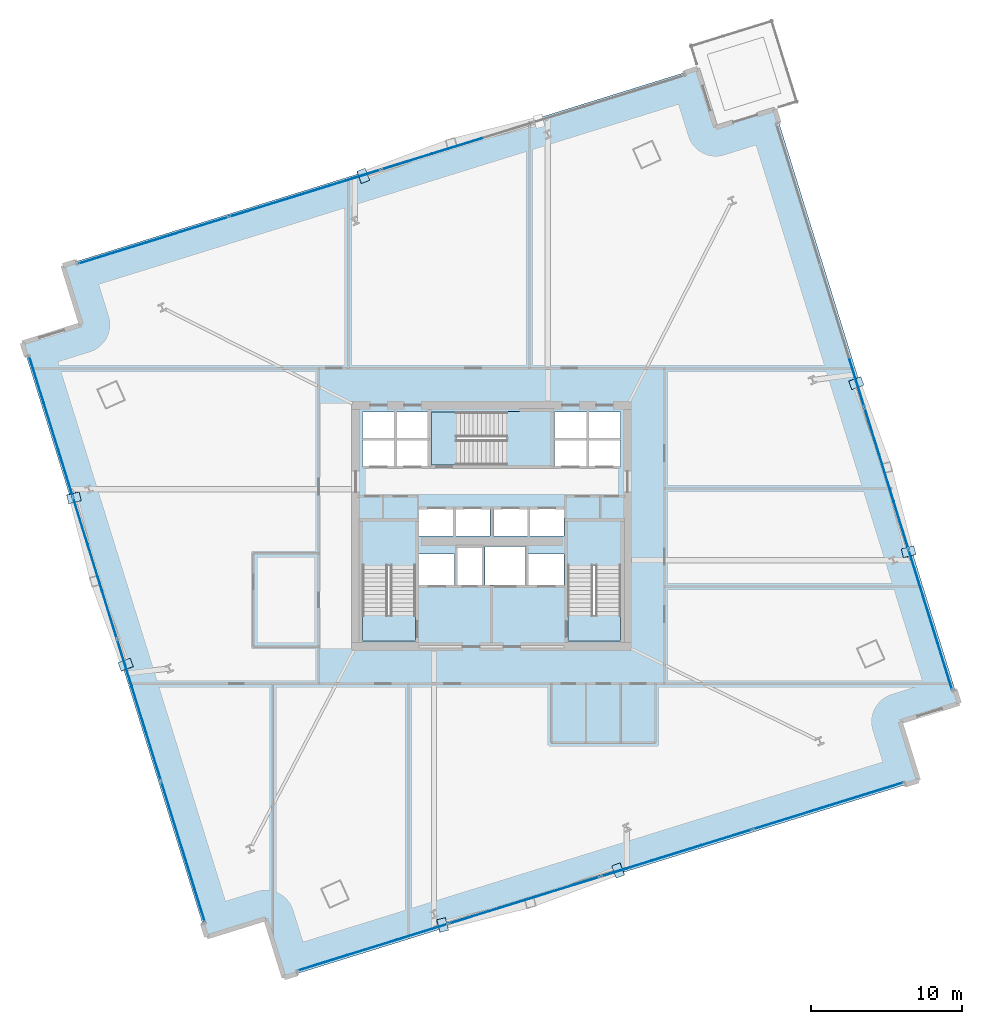
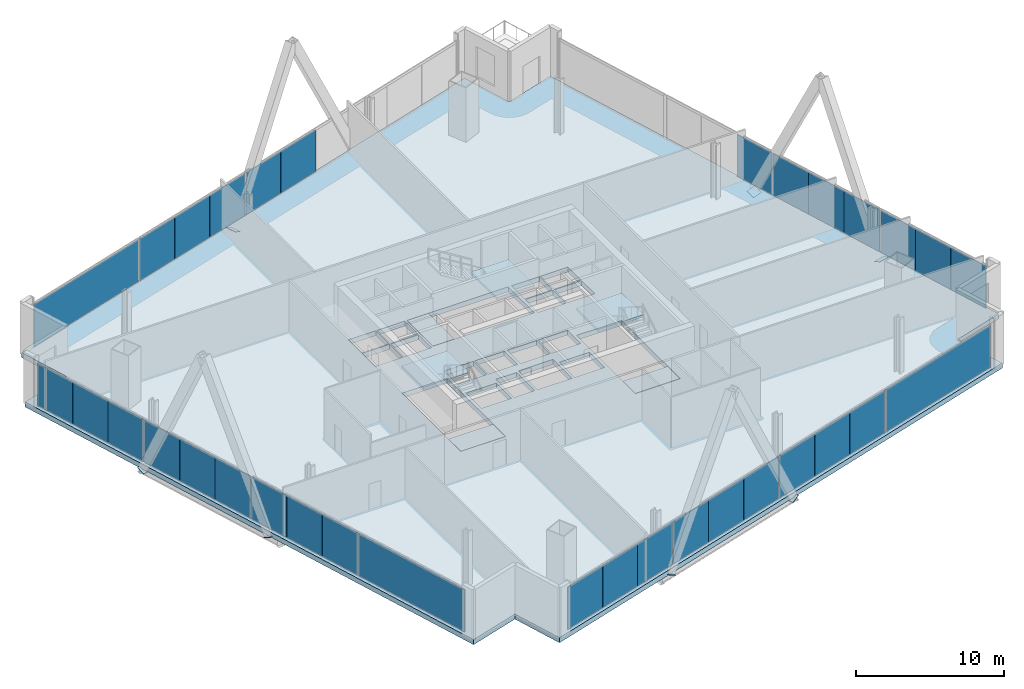
# One storey, part 15 of 26: 40 plates, 7 slabs, 7 elements without a shape of their own.
"""IFC4 building model written with IfcOpenShell, lengths in metres."""

from ifc_helpers import new_model, si_unit, direction, frame, origin, origin_2d, place, context, subcontext, project, spatial, polyline, rectangle, outline, extrude, source, transform, mapped, material, layer, layer_set, type_object, element, aggregate, save


model = new_model("IFC4")

# Units and contexts
model_context = context("Model", 3, precision=1e-05, world=origin(), true_north=direction((0.0, 1.0)))
body_context = subcontext(model_context, "Body", "Model", "MODEL_VIEW")
ifc_project = project(units=[si_unit("LENGTHUNIT", "METRE"), si_unit("AREAUNIT", "SQUARE_METRE"), si_unit("VOLUMEUNIT", "CUBIC_METRE"), si_unit("PLANEANGLEUNIT", "RADIAN"), si_unit("MASSUNIT", "GRAM", prefix="KILO")], contexts=[model_context])

# Site, building, storey
site_placement = place(None, origin())
site = spatial("IfcSite", under=ifc_project, at=site_placement, CompositionType="ELEMENT")
building_placement = place(site_placement, origin())
building = spatial("IfcBuilding", under=site, at=building_placement, Name="Haldenkirk Collegiate Tower", CompositionType="ELEMENT")
storey_placement = place(building_placement, frame((0.0, 0.0, 85.949951171875)))
storey = spatial("IfcBuildingStorey", under=building, at=storey_placement, Name="L20", CompositionType="ELEMENT", Elevation=85.949951171875)

# Slab
ifc_material_1 = material(Name="Concrete f'c 40 MPa", Category="concrete")
ifc_layer_1 = layer(ifc_material_1, 0.409912109375)
ifc_layer_set_1 = layer_set([ifc_layer_1], Name="Concrete f'c 40 MPa")
slab_type_1 = type_object("IfcSlabType", Name="SLB-FLR-410", PredefinedType="FLOOR", material=ifc_layer_set_1)
slab_1_placement = place(storey_placement, frame((0.0, 0.0, -0.409912109375)))
element("IfcSlab", 1, at=slab_1_placement, inside=storey, type_object=slab_type_1, Name="L20 composite structural floor slab", PredefinedType="FLOOR", context=body_context, shape_type="SweptSolid", body=[
    extrude(outline(polyline([(22.2548828125, -3.921875), (64.275634765625, 9.1259765625), (63.059814453125, 13.04150390625), (66.9755859375, 14.25732421875), (54.758056640625, 53.60400390625), (50.84228515625, 52.38818359375), (49.626708984375, 56.303955078125), (7.605712890625, 43.256103515625), (8.821533203125, 39.340576171875), (4.906005859375, 38.124755859375), (17.123291015625, -1.22216796875), (21.0390625, -0.00634765625), (22.2548828125, -3.921875)]), holes=[polyline([(27.449951171875, 18.39990234375), (30.949951171875, 18.39990234375), (30.949951171875, 26.300048828125), (27.449951171875, 26.300048828125), (27.449951171875, 18.39990234375)]), polyline([(41.050048828125, 18.39990234375), (44.550048828125, 18.39990234375), (44.550048828125, 26.300048828125), (41.050048828125, 26.300048828125), (41.050048828125, 18.39990234375)]), polyline([(32.0, 30.050048828125), (39.89990234375, 30.050048828125), (39.89990234375, 33.550048828125), (32.0, 33.550048828125), (32.0, 30.050048828125)]), polyline([(33.75, 22.10009765625), (35.35009765625, 22.10009765625), (35.35009765625, 24.550048828125), (33.75, 24.550048828125), (33.75, 22.10009765625)]), polyline([(27.449951171875, 29.949951171875), (29.580078125, 29.949951171875), (29.580078125, 31.699951171875), (27.449951171875, 31.699951171875), (27.449951171875, 29.949951171875)]), polyline([(29.679931640625, 29.949951171875), (31.85009765625, 29.949951171875), (31.85009765625, 31.699951171875), (29.679931640625, 31.699951171875), (29.679931640625, 29.949951171875)]), polyline([(27.449951171875, 31.800048828125), (29.580078125, 31.800048828125), (29.580078125, 33.550048828125), (27.449951171875, 33.550048828125), (27.449951171875, 31.800048828125)]), polyline([(29.679931640625, 31.800048828125), (31.85009765625, 31.800048828125), (31.85009765625, 33.550048828125), (29.679931640625, 33.550048828125), (29.679931640625, 31.800048828125)]), polyline([(40.14990234375, 29.949951171875), (42.320068359375, 29.949951171875), (42.320068359375, 31.699951171875), (40.14990234375, 31.699951171875), (40.14990234375, 29.949951171875)]), polyline([(42.419921875, 29.949951171875), (44.550048828125, 29.949951171875), (44.550048828125, 31.699951171875), (42.419921875, 31.699951171875), (42.419921875, 29.949951171875)]), polyline([(40.14990234375, 31.800048828125), (42.320068359375, 31.800048828125), (42.320068359375, 33.550048828125), (40.14990234375, 33.550048828125), (40.14990234375, 31.800048828125)]), polyline([(42.419921875, 31.800048828125), (44.550048828125, 31.800048828125), (44.550048828125, 33.550048828125), (42.419921875, 33.550048828125), (42.419921875, 31.800048828125)]), polyline([(31.199951171875, 25.35009765625), (33.47998046875, 25.35009765625), (33.47998046875, 27.14990234375), (31.199951171875, 27.14990234375), (31.199951171875, 25.35009765625)]), polyline([(33.60009765625, 25.35009765625), (35.8798828125, 25.35009765625), (35.8798828125, 27.14990234375), (33.60009765625, 27.14990234375), (33.60009765625, 25.35009765625)]), polyline([(36.1201171875, 25.35009765625), (38.39990234375, 25.35009765625), (38.39990234375, 27.14990234375), (36.1201171875, 27.14990234375), (36.1201171875, 25.35009765625)]), polyline([(38.52001953125, 25.35009765625), (40.800048828125, 25.35009765625), (40.800048828125, 27.14990234375), (38.52001953125, 27.14990234375), (38.52001953125, 25.35009765625)]), polyline([(31.199951171875, 22.10009765625), (33.550048828125, 22.10009765625), (33.550048828125, 24.14990234375), (31.199951171875, 24.14990234375), (31.199951171875, 22.10009765625)]), polyline([(38.449951171875, 22.10009765625), (40.800048828125, 22.10009765625), (40.800048828125, 24.14990234375), (38.449951171875, 24.14990234375), (38.449951171875, 22.10009765625)]), polyline([(35.550048828125, 22.10009765625), (38.25, 22.10009765625), (38.25, 24.64990234375), (35.550048828125, 24.64990234375), (35.550048828125, 22.10009765625)])]), origin(), (0.0, 0.0, 1.0), 0.409912109375),
])

# Stair, slab
stair_type = type_object("IfcStairType", Name="STR-DOGLEG-1650", PredefinedType="HALF_TURN_STAIR", material=ifc_material_1)
stair_1_placement = place(storey_placement, origin())
stair_1 = element("IfcStair", 2, at=stair_1_placement, inside=storey, type_object=stair_type, Name="L20 Core Exit Stair ST-1", PredefinedType="HALF_TURN_STAIR")
ifc_layer_2 = layer(ifc_material_1, 0.199951171875)
ifc_layer_set_2 = layer_set([ifc_layer_2], Name="Concrete f'c 40 MPa")
slab_type_2 = type_object("IfcSlabType", Name="SLB-LANDING-200", PredefinedType="LANDING", material=ifc_layer_set_2)
slab_2_placement = place(storey_placement, frame((0.0, 0.0, 2.050048828125)))
slab_2 = element("IfcSlab", 3, at=slab_2_placement, type_object=slab_type_2, Name="ST-1 landing 1", PredefinedType="LANDING", context=body_context, shape_type="SweptSolid", body=[
    extrude(outline(polyline([(30.97509765625, 23.385009765625), (27.425048828125, 23.385009765625), (27.425048828125, 26.324951171875), (30.97509765625, 26.324951171875), (30.97509765625, 23.385009765625)])), origin(), (0.0, 0.0, 1.0), 0.199951171875),
])
aggregate(stair_1, [slab_2])

stair_2_placement = place(storey_placement, origin())
stair_2 = element("IfcStair", 4, at=stair_2_placement, inside=storey, type_object=stair_type, Name="L20 Core Exit Stair ST-2", PredefinedType="HALF_TURN_STAIR")
slab_3_placement = place(storey_placement, frame((0.0, 0.0, 2.050048828125)))
slab_3 = element("IfcSlab", 5, at=slab_3_placement, type_object=slab_type_2, Name="ST-2 landing 1", PredefinedType="LANDING", context=body_context, shape_type="SweptSolid", body=[
    extrude(outline(polyline([(44.574951171875, 23.385009765625), (41.02490234375, 23.385009765625), (41.02490234375, 26.324951171875), (44.574951171875, 26.324951171875), (44.574951171875, 23.385009765625)])), origin(), (0.0, 0.0, 1.0), 0.199951171875),
])
aggregate(stair_2, [slab_3])

stair_3_placement = place(storey_placement, origin())
stair_3 = element("IfcStair", 6, at=stair_3_placement, inside=storey, type_object=stair_type, Name="L20 Core Exit Stair ST-3", PredefinedType="HALF_TURN_STAIR")
slab_4_placement = place(storey_placement, frame((0.0, 0.0, 2.050048828125)))
slab_4 = element("IfcSlab", 7, at=slab_4_placement, type_object=slab_type_2, Name="ST-3 landing 1", PredefinedType="LANDING", context=body_context, shape_type="SweptSolid", body=[
    extrude(outline(polyline([(36.985107421875, 30.02490234375), (36.985107421875, 33.574951171875), (39.925048828125, 33.574951171875), (39.925048828125, 30.02490234375), (36.985107421875, 30.02490234375)])), origin(), (0.0, 0.0, 1.0), 0.199951171875),
])
aggregate(stair_3, [slab_4])

# Slabs
ifc_layer_3 = layer(ifc_material_1, 0.25)
ifc_layer_set_3 = layer_set([ifc_layer_3], Name="Concrete f'c 40 MPa")
slab_type_3 = type_object("IfcSlabType", Name="SLB-STAIRLAND-250", PredefinedType="LANDING", material=ifc_layer_set_3)
slab_5_placement = place(storey_placement, frame((0.0, 0.0, -0.25)))
element("IfcSlab", 8, at=slab_5_placement, inside=storey, type_object=slab_type_3, Name="L20 stair ST1 structural floor landing slab", PredefinedType="LANDING", context=body_context, shape_type="SweptSolid", body=[
    extrude(outline(polyline([(27.4599609375, 18.409912109375), (30.93994140625, 18.409912109375), (30.93994140625, 20.080078125), (27.4599609375, 20.080078125), (27.4599609375, 18.409912109375)])), origin(), (0.0, 0.0, 1.0), 0.25),
])
slab_6_placement = place(storey_placement, frame((0.0, 0.0, -0.25)))
element("IfcSlab", 9, at=slab_6_placement, inside=storey, type_object=slab_type_3, Name="L20 stair ST2 structural floor landing slab", PredefinedType="LANDING", context=body_context, shape_type="SweptSolid", body=[
    extrude(outline(polyline([(41.06005859375, 18.409912109375), (44.5400390625, 18.409912109375), (44.5400390625, 20.080078125), (41.06005859375, 20.080078125), (41.06005859375, 18.409912109375)])), origin(), (0.0, 0.0, 1.0), 0.25),
])
slab_7_placement = place(storey_placement, frame((0.0, 0.0, -0.25)))
element("IfcSlab", 10, at=slab_7_placement, inside=storey, type_object=slab_type_3, Name="L20 stair ST3 structural floor landing slab", PredefinedType="LANDING", context=body_context, shape_type="SweptSolid", body=[
    extrude(outline(polyline([(32.010009765625, 30.06005859375), (33.679931640625, 30.06005859375), (33.679931640625, 33.5400390625), (32.010009765625, 33.5400390625), (32.010009765625, 30.06005859375)])), origin(), (0.0, 0.0, 1.0), 0.25),
])

# Plates
ifc_material_2 = material(Name="Steel ASTM A572 Grade 50", Category="steel")
ifc_layer_4 = layer(ifc_material_2, 0.034912109375)
ifc_layer_set_4 = layer_set([ifc_layer_4], Name="Steel ASTM A572 Grade 50")
plate_type_1 = type_object("IfcPlateType", Name="PLT-CAP-EXT-760X600", PredefinedType="USERDEFINED", material=ifc_layer_set_4)
shared_shape_1 = source(origin(), body_context, "Body", "SweptSolid", [
    extrude(rectangle(XDim=0.860107421875, YDim=0.659912109375, at=origin_2d()), origin(), (0.0, 0.0, 1.0), 0.034912109375),
])
for number, where, z_axis, x_axis, name in (
    (11, (32.755859375, -0.430908203125, -0.417236328125), (-0.430187212245, -0.106988052786, -0.896377442254), (0.241349098258, -0.970438361139, 1.6566e-08), "Perimeter Mega Brace Z2 L20-L22 SL end cap plate 1"),
    (12, (44.376708984375, 3.177490234375, -0.417236328125), (0.427158117723, 0.15903804383, -0.890080245303), (-0.348918704929, 0.937152995701, -5.37064e-07), "Perimeter Mega Brace Z2 L20-L22 SR end cap plate 1"),
    (13, (63.626220703125, 24.3017578125, -0.417236328125), (0.106297029219, -0.415827114303, -0.903210248275), (0.968845981342, 0.247664015225, 4.0766e-08), "Perimeter Mega Brace Z2 L20-L22 EL end cap plate 1"),
    (14, (60.160400390625, 35.4638671875, -0.417236328125), (-0.1513070355, 0.414250097193, -0.897498210574), (-0.939303752661, -0.343086665781, -4.6618e-07), "Perimeter Mega Brace Z2 L20-L22 ER end cap plate 1"),
    (15, (27.497802734375, 49.202392578125, -0.417236328125), (-0.427841900592, -0.159322962982, -0.889700793281), (0.348975928669, -0.937131688296, 8.1714e-08), "Perimeter Mega Brace Z2 L20-L22 NR end cap plate 1"),
    (16, (8.322509765625, 27.86279296875, -0.417236328125), (-0.104062042016, 0.412377166503, -0.905050365426), (-0.969604679022, -0.244676861225, -1.19212e-07), "Perimeter Mega Brace Z2 L20-L22 WL end cap plate 1"),
    (17, (11.751708984375, 16.819091796875, -0.417236328125), (0.151294981674, -0.410481950281, -0.899229891081), (0.938295257631, 0.345835234623, 2.69369e-07), "Perimeter Mega Brace Z2 L20-L22 WR end cap plate 1"),
):
    element("IfcPlate", number, at=place(storey_placement, frame(where, z_axis=z_axis, x_axis=x_axis)), inside=storey, type_object=plate_type_1, Name=name, ObjectType="END CAP PLATE", PredefinedType="USERDEFINED", context=body_context, shape_type="MappedRepresentation", body=[
        mapped(shared_shape_1, transform((0.0, 0.0, 0.0), x_axis=(1.0, 0.0, 0.0), y_axis=(0.0, 1.0, 0.0), z_axis=(0.0, 0.0, 1.0), scale=1.0)),
    ])

# Curtain wall, plate
ifc_material_3 = material(Name="Anodised architectural bronze aluminium", Category="aluminium")
curtain_wall_type = type_object("IfcCurtainWallType", Name="CW-SYS4-SKYGARDEN", PredefinedType="USERDEFINED", material=ifc_material_3)
curtain_wall_1_placement = place(storey_placement, origin())
curtain_wall_1 = element("IfcCurtainWall", 18, at=curtain_wall_1_placement, inside=storey, type_object=curtain_wall_type, Name="L20 Sky-garden tall bronze curtain wall", ObjectType="UNITISED CURTAIN WALL", PredefinedType="USERDEFINED")
ifc_material_4 = material(Name="Low-E argon triple insulating glass", Category="glass")
ifc_layer_5 = layer(ifc_material_4, 0.0458984375)
ifc_layer_set_5 = layer_set([ifc_layer_5], Name="Low-E argon triple insulating glass")
plate_type_2 = type_object("IfcPlateType", Name="CW-PNL-04", PredefinedType="CURTAIN_PANEL", material=ifc_layer_set_5)
shared_shape_2 = source(origin(), body_context, "Body", "SweptSolid", [
    extrude(rectangle(XDim=10.4150390625, YDim=0.0458984375, at=origin_2d()), origin(), (0.0, 0.0, 1.0), 3.470947265625),
])
plate_1_placement = place(storey_placement, frame((58.303466796875, 7.4599609375, 0.08984375), z_axis=(0.0, 0.0, 1.0), x_axis=(-0.955020431539, -0.29654000631, 0.0)))
plate_1 = element("IfcPlate", 19, at=plate_1_placement, type_object=plate_type_2, Name="CW-04 panel 1.1", PredefinedType="CURTAIN_PANEL", context=body_context, shape_type="MappedRepresentation", body=[
    mapped(shared_shape_2, transform((0.0, 0.0, 0.0), x_axis=(1.0, 0.0, 0.0), y_axis=(0.0, 1.0, 0.0), z_axis=(0.0, 0.0, 1.0), scale=1.0)),
])

curtain_wall_2_placement = place(storey_placement, origin())
curtain_wall_2 = element("IfcCurtainWall", 20, at=curtain_wall_2_placement, inside=storey, type_object=curtain_wall_type, Name="L20 Sky-garden tall bronze curtain wall", ObjectType="UNITISED CURTAIN WALL", PredefinedType="USERDEFINED")
plate_2_placement = place(storey_placement, frame((13.577880859375, 44.922119140625, 0.08984375), z_axis=(0.0, 0.0, 1.0), x_axis=(0.955020431539, 0.29654000631, 0.0)))
plate_2 = element("IfcPlate", 21, at=plate_2_placement, type_object=plate_type_2, Name="CW-04 panel 1.1", PredefinedType="CURTAIN_PANEL", context=body_context, shape_type="MappedRepresentation", body=[
    mapped(shared_shape_2, transform((0.0, 0.0, 0.0), x_axis=(1.0, 0.0, 0.0), y_axis=(0.0, 1.0, 0.0), z_axis=(0.0, 0.0, 1.0), scale=1.0)),
])

# Plate
shared_shape_3 = source(origin(), body_context, "Body", "SweptSolid", [
    extrude(rectangle(XDim=3.47412109375, YDim=0.0458984375, at=origin_2d()), origin(), (0.0, 0.0, 1.0), 3.470947265625),
])
plate_3_placement = place(storey_placement, frame((51.58544921875, 5.373779296875, 0.08984375), z_axis=(0.0, 0.0, 1.0), x_axis=(-0.955020431539, -0.29654000631, 0.0)))
plate_3 = element("IfcPlate", 22, at=plate_3_placement, type_object=plate_type_2, Name="CW-04 panel 2.1a", PredefinedType="CURTAIN_PANEL", context=body_context, shape_type="MappedRepresentation", body=[
    mapped(shared_shape_3, transform((0.0, 0.0, 0.0), x_axis=(1.0, 0.0, 0.0), y_axis=(0.0, 1.0, 0.0), z_axis=(0.0, 0.0, 1.0), scale=1.0)),
])

ifc_material_5 = material(Name="Bronze-anodised insulated aluminium spandrel panel", Category="aluminium")
ifc_layer_6 = layer(ifc_material_5, 0.0458984375)
ifc_layer_set_6 = layer_set([ifc_layer_6], Name="Bronze-anodised insulated aluminium spandrel panel")
plate_type_3 = type_object("IfcPlateType", Name="CW-SPD-04", PredefinedType="CURTAIN_PANEL", material=ifc_layer_set_6)
plate_4_placement = place(storey_placement, frame((44.913818359375, 3.302490234375, 0.08984375), z_axis=(0.0, 0.0, 1.0), x_axis=(-0.955020431539, -0.29654000631, 0.0)))
plate_4 = element("IfcPlate", 23, at=plate_4_placement, type_object=plate_type_3, Name="CW-04 spandrel panel 2.1c", PredefinedType="CURTAIN_PANEL", context=body_context, shape_type="MappedRepresentation", body=[
    mapped(shared_shape_3, transform((0.0, 0.0, 0.0), x_axis=(1.0, 0.0, 0.0), y_axis=(0.0, 1.0, 0.0), z_axis=(0.0, 0.0, 1.0), scale=1.0)),
])

plate_5_placement = place(storey_placement, frame((41.510009765625, 2.245361328125, 0.08984375), z_axis=(0.0, 0.0, 1.0), x_axis=(-0.955020431539, -0.29654000631, 0.0)))
plate_5 = element("IfcPlate", 24, at=plate_5_placement, type_object=plate_type_3, Name="CW-04 spandrel panel 3.1a", PredefinedType="CURTAIN_PANEL", context=body_context, shape_type="MappedRepresentation", body=[
    mapped(shared_shape_3, transform((0.0, 0.0, 0.0), x_axis=(1.0, 0.0, 0.0), y_axis=(0.0, 1.0, 0.0), z_axis=(0.0, 0.0, 1.0), scale=1.0)),
])

plate_6_placement = place(storey_placement, frame((34.83837890625, 0.173828125, 0.08984375), z_axis=(0.0, 0.0, 1.0), x_axis=(-0.955020431539, -0.29654000631, 0.0)))
plate_6 = element("IfcPlate", 25, at=plate_6_placement, type_object=plate_type_3, Name="CW-04 spandrel panel 3.1c", PredefinedType="CURTAIN_PANEL", context=body_context, shape_type="MappedRepresentation", body=[
    mapped(shared_shape_3, transform((0.0, 0.0, 0.0), x_axis=(1.0, 0.0, 0.0), y_axis=(0.0, 1.0, 0.0), z_axis=(0.0, 0.0, 1.0), scale=1.0)),
])

plate_7_placement = place(storey_placement, frame((20.2958984375, 47.008056640625, 0.08984375), z_axis=(0.0, 0.0, 1.0), x_axis=(0.955020431539, 0.29654000631, 0.0)))
plate_7 = element("IfcPlate", 26, at=plate_7_placement, type_object=plate_type_2, Name="CW-04 panel 2.1a", PredefinedType="CURTAIN_PANEL", context=body_context, shape_type="MappedRepresentation", body=[
    mapped(shared_shape_3, transform((0.0, 0.0, 0.0), x_axis=(1.0, 0.0, 0.0), y_axis=(0.0, 1.0, 0.0), z_axis=(0.0, 0.0, 1.0), scale=1.0)),
])

plate_8_placement = place(storey_placement, frame((26.967529296875, 49.07958984375, 0.08984375), z_axis=(0.0, 0.0, 1.0), x_axis=(0.955020431539, 0.29654000631, 0.0)))
plate_8 = element("IfcPlate", 27, at=plate_8_placement, type_object=plate_type_3, Name="CW-04 spandrel panel 2.1c", PredefinedType="CURTAIN_PANEL", context=body_context, shape_type="MappedRepresentation", body=[
    mapped(shared_shape_3, transform((0.0, 0.0, 0.0), x_axis=(1.0, 0.0, 0.0), y_axis=(0.0, 1.0, 0.0), z_axis=(0.0, 0.0, 1.0), scale=1.0)),
])

plate_9_placement = place(storey_placement, frame((30.37158203125, 50.13671875, 0.08984375), z_axis=(0.0, 0.0, 1.0), x_axis=(0.955020431539, 0.29654000631, 0.0)))
plate_9 = element("IfcPlate", 28, at=plate_9_placement, type_object=plate_type_3, Name="CW-04 spandrel panel 3.1a", PredefinedType="CURTAIN_PANEL", context=body_context, shape_type="MappedRepresentation", body=[
    mapped(shared_shape_3, transform((0.0, 0.0, 0.0), x_axis=(1.0, 0.0, 0.0), y_axis=(0.0, 1.0, 0.0), z_axis=(0.0, 0.0, 1.0), scale=1.0)),
])

shared_shape_4 = source(origin(), body_context, "Body", "SweptSolid", [
    extrude(rectangle(XDim=3.461669921875, YDim=0.0458984375, at=origin_2d()), origin(), (0.0, 0.0, 1.0), 3.470947265625),
])
plate_10_placement = place(storey_placement, frame((48.24951171875, 4.338134765625, 0.08984375), z_axis=(0.0, 0.0, 1.0), x_axis=(-0.955020431539, -0.29654000631, 0.0)))
plate_10 = element("IfcPlate", 29, at=plate_10_placement, type_object=plate_type_2, Name="CW-04 panel 2.1b", PredefinedType="CURTAIN_PANEL", context=body_context, shape_type="MappedRepresentation", body=[
    mapped(shared_shape_4, transform((0.0, 0.0, 0.0), x_axis=(1.0, 0.0, 0.0), y_axis=(0.0, 1.0, 0.0), z_axis=(0.0, 0.0, 1.0), scale=1.0)),
])

plate_11_placement = place(storey_placement, frame((38.174072265625, 1.209716796875, 0.08984375), z_axis=(0.0, 0.0, 1.0), x_axis=(-0.955020431539, -0.29654000631, 0.0)))
plate_11 = element("IfcPlate", 30, at=plate_11_placement, type_object=plate_type_2, Name="CW-04 panel 3.1b", PredefinedType="CURTAIN_PANEL", context=body_context, shape_type="MappedRepresentation", body=[
    mapped(shared_shape_4, transform((0.0, 0.0, 0.0), x_axis=(1.0, 0.0, 0.0), y_axis=(0.0, 1.0, 0.0), z_axis=(0.0, 0.0, 1.0), scale=1.0)),
])

plate_12_placement = place(storey_placement, frame((23.6318359375, 48.043701171875, 0.08984375), z_axis=(0.0, 0.0, 1.0), x_axis=(0.955020431539, 0.29654000631, 0.0)))
plate_12 = element("IfcPlate", 31, at=plate_12_placement, type_object=plate_type_2, Name="CW-04 panel 2.1b", PredefinedType="CURTAIN_PANEL", context=body_context, shape_type="MappedRepresentation", body=[
    mapped(shared_shape_4, transform((0.0, 0.0, 0.0), x_axis=(1.0, 0.0, 0.0), y_axis=(0.0, 1.0, 0.0), z_axis=(0.0, 0.0, 1.0), scale=1.0)),
])

plate_13_placement = place(storey_placement, frame((33.707275390625, 51.17236328125, 0.08984375), z_axis=(0.0, 0.0, 1.0), x_axis=(0.955020431539, 0.29654000631, 0.0)))
plate_13 = element("IfcPlate", 32, at=plate_13_placement, type_object=plate_type_2, Name="CW-04 panel 3.1b", PredefinedType="CURTAIN_PANEL", context=body_context, shape_type="MappedRepresentation", body=[
    mapped(shared_shape_4, transform((0.0, 0.0, 0.0), x_axis=(1.0, 0.0, 0.0), y_axis=(0.0, 1.0, 0.0), z_axis=(0.0, 0.0, 1.0), scale=1.0)),
])

aggregate(curtain_wall_2, [plate_2, plate_7, plate_12, plate_8, plate_9, plate_13])

shared_shape_5 = source(origin(), body_context, "Body", "SweptSolid", [
    extrude(rectangle(XDim=3.459228515625, YDim=0.0458984375, at=origin_2d()), origin(), (0.0, 0.0, 1.0), 3.470947265625),
])
plate_14_placement = place(storey_placement, frame((31.441650390625, -0.880859375, 0.08984375), z_axis=(0.0, 0.0, 1.0), x_axis=(-0.955020431539, -0.29654000631, 0.0)))
plate_14 = element("IfcPlate", 33, at=plate_14_placement, type_object=plate_type_3, Name="CW-04 spandrel panel 4.1a", PredefinedType="CURTAIN_PANEL", context=body_context, shape_type="MappedRepresentation", body=[
    mapped(shared_shape_5, transform((0.0, 0.0, 0.0), x_axis=(1.0, 0.0, 0.0), y_axis=(0.0, 1.0, 0.0), z_axis=(0.0, 0.0, 1.0), scale=1.0)),
])

plate_15_placement = place(storey_placement, frame((24.798583984375, -2.943603515625, 0.08984375), z_axis=(0.0, 0.0, 1.0), x_axis=(-0.955020431539, -0.29654000631, 0.0)))
plate_15 = element("IfcPlate", 34, at=plate_15_placement, type_object=plate_type_2, Name="CW-04 panel 4.1c", PredefinedType="CURTAIN_PANEL", context=body_context, shape_type="MappedRepresentation", body=[
    mapped(shared_shape_5, transform((0.0, 0.0, 0.0), x_axis=(1.0, 0.0, 0.0), y_axis=(0.0, 1.0, 0.0), z_axis=(0.0, 0.0, 1.0), scale=1.0)),
])

shared_shape_6 = source(origin(), body_context, "Body", "SweptSolid", [
    extrude(rectangle(XDim=3.44677734375, YDim=0.0458984375, at=origin_2d()), origin(), (0.0, 0.0, 1.0), 3.470947265625),
])
plate_16_placement = place(storey_placement, frame((28.1201171875, -1.912109375, 0.08984375), z_axis=(0.0, 0.0, 1.0), x_axis=(-0.955020431539, -0.29654000631, 0.0)))
plate_16 = element("IfcPlate", 35, at=plate_16_placement, type_object=plate_type_2, Name="CW-04 panel 4.1b", PredefinedType="CURTAIN_PANEL", context=body_context, shape_type="MappedRepresentation", body=[
    mapped(shared_shape_6, transform((0.0, 0.0, 0.0), x_axis=(1.0, 0.0, 0.0), y_axis=(0.0, 1.0, 0.0), z_axis=(0.0, 0.0, 1.0), scale=1.0)),
])

aggregate(curtain_wall_1, [plate_1, plate_3, plate_10, plate_4, plate_5, plate_11, plate_6, plate_14, plate_16, plate_15])

# Curtain wall, plate
curtain_wall_3_placement = place(storey_placement, origin())
curtain_wall_3 = element("IfcCurtainWall", 36, at=curtain_wall_3_placement, inside=storey, type_object=curtain_wall_type, Name="L20 Sky-garden tall bronze curtain wall", ObjectType="UNITISED CURTAIN WALL", PredefinedType="USERDEFINED")
shared_shape_7 = source(origin(), body_context, "Body", "SweptSolid", [
    extrude(rectangle(XDim=9.715087890625, YDim=0.0458984375, at=origin_2d()), origin(), (0.0, 0.0, 1.0), 3.470947265625),
])
plate_17_placement = place(storey_placement, frame((15.561279296875, 4.415771484375, 0.08984375), z_axis=(0.0, 0.0, 1.0), x_axis=(-0.296540592082, 0.955020249653, 0.0)))
plate_17 = element("IfcPlate", 37, at=plate_17_placement, type_object=plate_type_2, Name="CW-04 panel 1.1", PredefinedType="CURTAIN_PANEL", context=body_context, shape_type="MappedRepresentation", body=[
    mapped(shared_shape_7, transform((0.0, 0.0, 0.0), x_axis=(1.0, 0.0, 0.0), y_axis=(0.0, 1.0, 0.0), z_axis=(0.0, 0.0, 1.0), scale=1.0)),
])

# Curtain wall, plates
curtain_wall_4_placement = place(storey_placement, origin())
curtain_wall_4 = element("IfcCurtainWall", 38, at=curtain_wall_4_placement, inside=storey, type_object=curtain_wall_type, Name="L20 Sky-garden tall bronze curtain wall", ObjectType="UNITISED CURTAIN WALL", PredefinedType="USERDEFINED")
shared_shape_8 = source(origin(), body_context, "Body", "SweptSolid", [
    extrude(rectangle(XDim=3.24072265625, YDim=0.0458984375, at=origin_2d()), origin(), (0.0, 0.0, 1.0), 3.470947265625),
])
plate_18_placement = place(storey_placement, frame((60.200927734375, 35.4677734375, 0.08984375), z_axis=(0.0, 0.0, 1.0), x_axis=(0.296540592082, -0.955020249653, 0.0)))
plate_18 = element("IfcPlate", 39, at=plate_18_placement, type_object=plate_type_3, Name="CW-04 spandrel panel 2.1c", PredefinedType="CURTAIN_PANEL", context=body_context, shape_type="MappedRepresentation", body=[
    mapped(shared_shape_8, transform((0.0, 0.0, 0.0), x_axis=(1.0, 0.0, 0.0), y_axis=(0.0, 1.0, 0.0), z_axis=(0.0, 0.0, 1.0), scale=1.0)),
])
plate_19_placement = place(storey_placement, frame((61.188720703125, 32.286865234375, 0.08984375), z_axis=(0.0, 0.0, 1.0), x_axis=(0.296540592082, -0.955020249653, 0.0)))
plate_19 = element("IfcPlate", 40, at=plate_19_placement, type_object=plate_type_3, Name="CW-04 spandrel panel 3.1a", PredefinedType="CURTAIN_PANEL", context=body_context, shape_type="MappedRepresentation", body=[
    mapped(shared_shape_8, transform((0.0, 0.0, 0.0), x_axis=(1.0, 0.0, 0.0), y_axis=(0.0, 1.0, 0.0), z_axis=(0.0, 0.0, 1.0), scale=1.0)),
])
plate_20_placement = place(storey_placement, frame((63.121826171875, 26.060791015625, 0.08984375), z_axis=(0.0, 0.0, 1.0), x_axis=(0.296540592082, -0.955020249653, 0.0)))
plate_20 = element("IfcPlate", 41, at=plate_20_placement, type_object=plate_type_3, Name="CW-04 spandrel panel 3.1c", PredefinedType="CURTAIN_PANEL", context=body_context, shape_type="MappedRepresentation", body=[
    mapped(shared_shape_8, transform((0.0, 0.0, 0.0), x_axis=(1.0, 0.0, 0.0), y_axis=(0.0, 1.0, 0.0), z_axis=(0.0, 0.0, 1.0), scale=1.0)),
])

# Plate
plate_21_placement = place(storey_placement, frame((13.613525390625, 10.688232421875, 0.08984375), z_axis=(0.0, 0.0, 1.0), x_axis=(-0.296540592082, 0.955020249653, 0.0)))
plate_21 = element("IfcPlate", 42, at=plate_21_placement, type_object=plate_type_2, Name="CW-04 panel 2.1a", PredefinedType="CURTAIN_PANEL", context=body_context, shape_type="MappedRepresentation", body=[
    mapped(shared_shape_8, transform((0.0, 0.0, 0.0), x_axis=(1.0, 0.0, 0.0), y_axis=(0.0, 1.0, 0.0), z_axis=(0.0, 0.0, 1.0), scale=1.0)),
])

plate_22_placement = place(storey_placement, frame((11.680419921875, 16.914306640625, 0.08984375), z_axis=(0.0, 0.0, 1.0), x_axis=(-0.296540592082, 0.955020249653, 0.0)))
plate_22 = element("IfcPlate", 43, at=plate_22_placement, type_object=plate_type_3, Name="CW-04 spandrel panel 2.1c", PredefinedType="CURTAIN_PANEL", context=body_context, shape_type="MappedRepresentation", body=[
    mapped(shared_shape_8, transform((0.0, 0.0, 0.0), x_axis=(1.0, 0.0, 0.0), y_axis=(0.0, 1.0, 0.0), z_axis=(0.0, 0.0, 1.0), scale=1.0)),
])

plate_23_placement = place(storey_placement, frame((10.692626953125, 20.09521484375, 0.08984375), z_axis=(0.0, 0.0, 1.0), x_axis=(-0.296540592082, 0.955020249653, 0.0)))
plate_23 = element("IfcPlate", 44, at=plate_23_placement, type_object=plate_type_3, Name="CW-04 spandrel panel 3.1a", PredefinedType="CURTAIN_PANEL", context=body_context, shape_type="MappedRepresentation", body=[
    mapped(shared_shape_8, transform((0.0, 0.0, 0.0), x_axis=(1.0, 0.0, 0.0), y_axis=(0.0, 1.0, 0.0), z_axis=(0.0, 0.0, 1.0), scale=1.0)),
])

plate_24_placement = place(storey_placement, frame((8.759521484375, 26.321044921875, 0.08984375), z_axis=(0.0, 0.0, 1.0), x_axis=(-0.296540592082, 0.955020249653, 0.0)))
plate_24 = element("IfcPlate", 45, at=plate_24_placement, type_object=plate_type_3, Name="CW-04 spandrel panel 3.1c", PredefinedType="CURTAIN_PANEL", context=body_context, shape_type="MappedRepresentation", body=[
    mapped(shared_shape_8, transform((0.0, 0.0, 0.0), x_axis=(1.0, 0.0, 0.0), y_axis=(0.0, 1.0, 0.0), z_axis=(0.0, 0.0, 1.0), scale=1.0)),
])

shared_shape_9 = source(origin(), body_context, "Body", "SweptSolid", [
    extrude(rectangle(XDim=3.228271484375, YDim=0.0458984375, at=origin_2d()), origin(), (0.0, 0.0, 1.0), 3.470947265625),
])
plate_25_placement = place(storey_placement, frame((62.1552734375, 29.173828125, 0.08984375), z_axis=(0.0, 0.0, 1.0), x_axis=(0.296540592082, -0.955020249653, 0.0)))
plate_25 = element("IfcPlate", 46, at=plate_25_placement, type_object=plate_type_2, Name="CW-04 panel 3.1b", PredefinedType="CURTAIN_PANEL", context=body_context, shape_type="MappedRepresentation", body=[
    mapped(shared_shape_9, transform((0.0, 0.0, 0.0), x_axis=(1.0, 0.0, 0.0), y_axis=(0.0, 1.0, 0.0), z_axis=(0.0, 0.0, 1.0), scale=1.0)),
])

plate_26_placement = place(storey_placement, frame((12.64697265625, 13.80126953125, 0.08984375), z_axis=(0.0, 0.0, 1.0), x_axis=(-0.296540592082, 0.955020249653, 0.0)))
plate_26 = element("IfcPlate", 47, at=plate_26_placement, type_object=plate_type_2, Name="CW-04 panel 2.1b", PredefinedType="CURTAIN_PANEL", context=body_context, shape_type="MappedRepresentation", body=[
    mapped(shared_shape_9, transform((0.0, 0.0, 0.0), x_axis=(1.0, 0.0, 0.0), y_axis=(0.0, 1.0, 0.0), z_axis=(0.0, 0.0, 1.0), scale=1.0)),
])

plate_27_placement = place(storey_placement, frame((9.72607421875, 23.208251953125, 0.08984375), z_axis=(0.0, 0.0, 1.0), x_axis=(-0.296540592082, 0.955020249653, 0.0)))
plate_27 = element("IfcPlate", 48, at=plate_27_placement, type_object=plate_type_2, Name="CW-04 panel 3.1b", PredefinedType="CURTAIN_PANEL", context=body_context, shape_type="MappedRepresentation", body=[
    mapped(shared_shape_9, transform((0.0, 0.0, 0.0), x_axis=(1.0, 0.0, 0.0), y_axis=(0.0, 1.0, 0.0), z_axis=(0.0, 0.0, 1.0), scale=1.0)),
])

shared_shape_10 = source(origin(), body_context, "Body", "SweptSolid", [
    extrude(rectangle(XDim=3.225830078125, YDim=0.0458984375, at=origin_2d()), origin(), (0.0, 0.0, 1.0), 3.470947265625),
])
plate_28_placement = place(storey_placement, frame((64.107421875, 22.886962890625, 0.08984375), z_axis=(0.0, 0.0, 1.0), x_axis=(0.296540592082, -0.955020249653, 0.0)))
plate_28 = element("IfcPlate", 49, at=plate_28_placement, type_object=plate_type_3, Name="CW-04 spandrel panel 4.1a", PredefinedType="CURTAIN_PANEL", context=body_context, shape_type="MappedRepresentation", body=[
    mapped(shared_shape_10, transform((0.0, 0.0, 0.0), x_axis=(1.0, 0.0, 0.0), y_axis=(0.0, 1.0, 0.0), z_axis=(0.0, 0.0, 1.0), scale=1.0)),
])

plate_29_placement = place(storey_placement, frame((66.03173828125, 16.689697265625, 0.08984375), z_axis=(0.0, 0.0, 1.0), x_axis=(0.296540592082, -0.955020249653, 0.0)))
plate_29 = element("IfcPlate", 50, at=plate_29_placement, type_object=plate_type_2, Name="CW-04 panel 4.1c", PredefinedType="CURTAIN_PANEL", context=body_context, shape_type="MappedRepresentation", body=[
    mapped(shared_shape_10, transform((0.0, 0.0, 0.0), x_axis=(1.0, 0.0, 0.0), y_axis=(0.0, 1.0, 0.0), z_axis=(0.0, 0.0, 1.0), scale=1.0)),
])

plate_30_placement = place(storey_placement, frame((7.77392578125, 29.4951171875, 0.08984375), z_axis=(0.0, 0.0, 1.0), x_axis=(-0.296540592082, 0.955020249653, 0.0)))
plate_30 = element("IfcPlate", 51, at=plate_30_placement, type_object=plate_type_3, Name="CW-04 spandrel panel 4.1a", PredefinedType="CURTAIN_PANEL", context=body_context, shape_type="MappedRepresentation", body=[
    mapped(shared_shape_10, transform((0.0, 0.0, 0.0), x_axis=(1.0, 0.0, 0.0), y_axis=(0.0, 1.0, 0.0), z_axis=(0.0, 0.0, 1.0), scale=1.0)),
])

plate_31_placement = place(storey_placement, frame((5.849609375, 35.6923828125, 0.08984375), z_axis=(0.0, 0.0, 1.0), x_axis=(-0.296540592082, 0.955020249653, 0.0)))
plate_31 = element("IfcPlate", 52, at=plate_31_placement, type_object=plate_type_2, Name="CW-04 panel 4.1c", PredefinedType="CURTAIN_PANEL", context=body_context, shape_type="MappedRepresentation", body=[
    mapped(shared_shape_10, transform((0.0, 0.0, 0.0), x_axis=(1.0, 0.0, 0.0), y_axis=(0.0, 1.0, 0.0), z_axis=(0.0, 0.0, 1.0), scale=1.0)),
])

shared_shape_11 = source(origin(), body_context, "Body", "SweptSolid", [
    extrude(rectangle(XDim=3.21337890625, YDim=0.0458984375, at=origin_2d()), origin(), (0.0, 0.0, 1.0), 3.470947265625),
])
plate_32_placement = place(storey_placement, frame((65.069580078125, 19.788330078125, 0.08984375), z_axis=(0.0, 0.0, 1.0), x_axis=(0.296540592082, -0.955020249653, 0.0)))
plate_32 = element("IfcPlate", 53, at=plate_32_placement, type_object=plate_type_2, Name="CW-04 panel 4.1b", PredefinedType="CURTAIN_PANEL", context=body_context, shape_type="MappedRepresentation", body=[
    mapped(shared_shape_11, transform((0.0, 0.0, 0.0), x_axis=(1.0, 0.0, 0.0), y_axis=(0.0, 1.0, 0.0), z_axis=(0.0, 0.0, 1.0), scale=1.0)),
])

aggregate(curtain_wall_4, [plate_18, plate_19, plate_25, plate_20, plate_28, plate_32, plate_29])

plate_33_placement = place(storey_placement, frame((6.811767578125, 32.593505859375, 0.08984375), z_axis=(0.0, 0.0, 1.0), x_axis=(-0.296540592082, 0.955020249653, 0.0)))
plate_33 = element("IfcPlate", 54, at=plate_33_placement, type_object=plate_type_2, Name="CW-04 panel 4.1b", PredefinedType="CURTAIN_PANEL", context=body_context, shape_type="MappedRepresentation", body=[
    mapped(shared_shape_11, transform((0.0, 0.0, 0.0), x_axis=(1.0, 0.0, 0.0), y_axis=(0.0, 1.0, 0.0), z_axis=(0.0, 0.0, 1.0), scale=1.0)),
])

aggregate(curtain_wall_3, [plate_17, plate_21, plate_26, plate_22, plate_23, plate_27, plate_24, plate_30, plate_33, plate_31])

save(model, "model.ifc")
